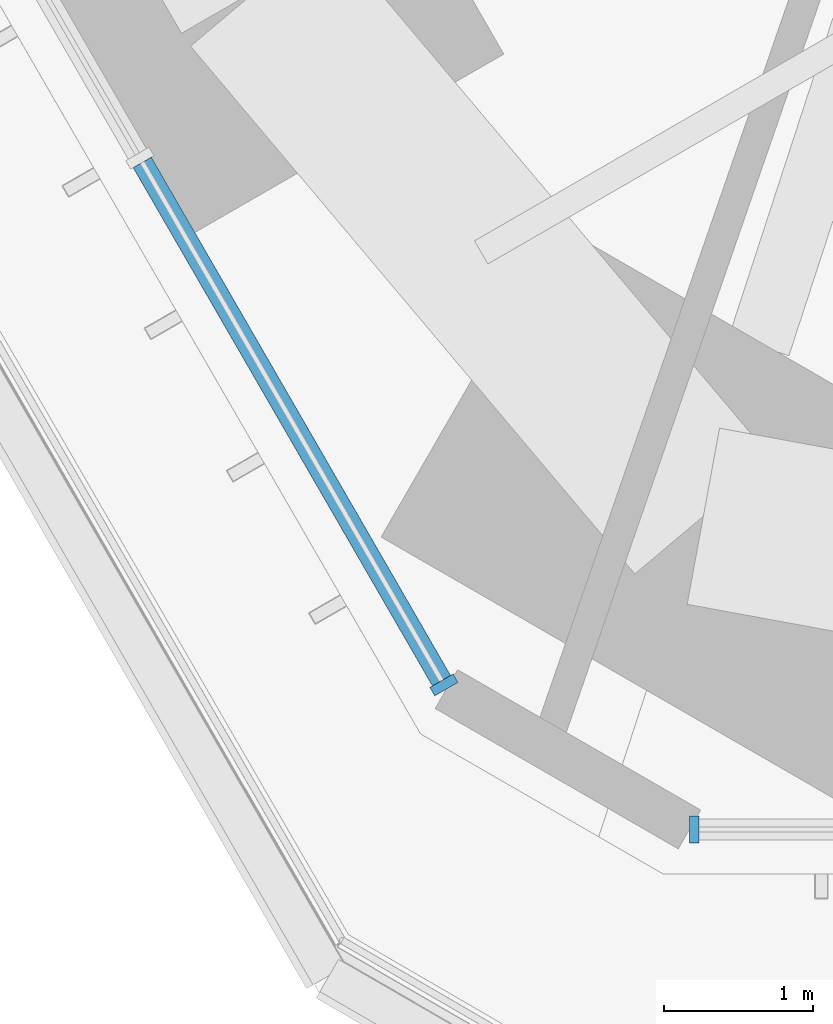
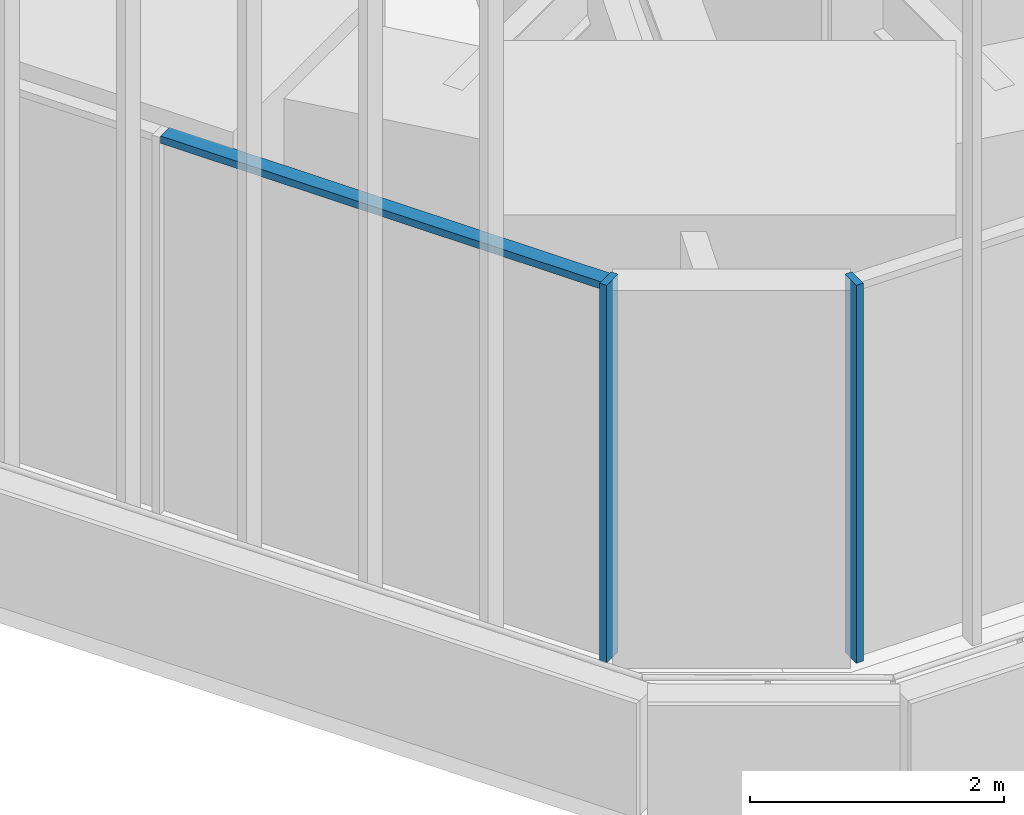
# One storey, part 12 of 238: 3 members, 2 elements without a shape of their own.
"""IFC4 building model written with IfcOpenShell, lengths in metres."""

from ifc_helpers import new_model, si_unit, direction, frame, origin, origin_2d, place, context, subcontext, project, spatial, rectangle, extrude, material, material_profile, profile_set, type_object, element, aggregate, save


model = new_model("IFC4")

# Units and contexts
model_context = context("Model", 3, precision=1e-05, world=origin(), true_north=direction((0.0, 1.0)))
body_context = subcontext(model_context, "Body", "Model", "MODEL_VIEW")
ifc_project = project(units=[si_unit("LENGTHUNIT", "METRE"), si_unit("AREAUNIT", "SQUARE_METRE"), si_unit("VOLUMEUNIT", "CUBIC_METRE"), si_unit("PLANEANGLEUNIT", "RADIAN"), si_unit("MASSUNIT", "GRAM", prefix="KILO")], contexts=[model_context])

# Site, building, storey
site_placement = place(None, origin())
site = spatial("IfcSite", under=ifc_project, at=site_placement, CompositionType="ELEMENT")
building_placement = place(site_placement, origin())
building = spatial("IfcBuilding", under=site, at=building_placement, Name="Sandreach Pilgrim Tower", CompositionType="ELEMENT")
storey_placement = place(building_placement, frame((0.0, 0.0, 96.800048828125)))
storey = spatial("IfcBuildingStorey", under=building, at=storey_placement, Name="L23", CompositionType="ELEMENT", Elevation=96.800048828125)

# Curtain wall, member
ifc_material_1 = material(Name="Aluminium framed curtain wall", Category="aluminium")
curtain_wall_type = type_object("IfcCurtainWallType", Name="Hotel tower curtain wall", PredefinedType="NOTDEFINED", material=ifc_material_1)
curtain_wall_1_placement = place(storey_placement, origin())
curtain_wall_1 = element("IfcCurtainWall", 1, at=curtain_wall_1_placement, inside=storey, type_object=curtain_wall_type, Name="CW-2 L23 SA", PredefinedType="NOTDEFINED")
ifc_material_2 = material(Name="Aluminium extrusion", Category="aluminium")
ifc_material_profile_1 = material_profile(ifc_material_2, rectangle(XDim=0.06494140625, YDim=0.179931640625, at=origin_2d()), Name="CW-2M 65X180")
ifc_profile_set_1 = profile_set([ifc_material_profile_1], Name="Aluminium extrusion")
member_type_1 = type_object("IfcMemberType", Name="CW-2 mullion", PredefinedType="MULLION", material=ifc_profile_set_1)
member_1_placement = place(storey_placement, frame((-8.578857421875, -28.192138671875, 0.0), z_axis=(0.0, 0.0, 1.0), x_axis=(-1.0, 0.0, 0.0)))
member_1 = element("IfcMember", 2, at=member_1_placement, type_object=member_type_1, Name="CW-2 mullion 4", PredefinedType="MULLION", context=body_context, shape_type="SweptSolid", body=[
    extrude(rectangle(XDim=0.06494140625, YDim=0.179931640625, at=origin_2d()), origin(), (0.0, 0.0, 1.0), 3.639892578125),
])
aggregate(curtain_wall_1, [member_1])

# Curtain wall, members
curtain_wall_2_placement = place(storey_placement, origin())
curtain_wall_2 = element("IfcCurtainWall", 3, at=curtain_wall_2_placement, inside=storey, type_object=curtain_wall_type, Name="CW-2 L23 SW", PredefinedType="NOTDEFINED")
member_2_placement = place(storey_placement, frame((-10.255859375, -27.22412109375, 0.0), z_axis=(0.0, 0.0, 1.0), x_axis=(-0.5, 0.866025403784, 0.0)))
member_2 = element("IfcMember", 4, at=member_2_placement, type_object=member_type_1, Name="CW-2 mullion 1", PredefinedType="MULLION", context=body_context, shape_type="SweptSolid", body=[
    extrude(rectangle(XDim=0.06494140625, YDim=0.179931640625, at=origin_2d()), origin(), (0.0, 0.0, 1.0), 3.639892578125),
])
ifc_material_3 = material(Name="Aluminium extrusion", Category="aluminium")
ifc_material_profile_2 = material_profile(ifc_material_3, rectangle(XDim=0.139892578125, YDim=0.070068359375, at=origin_2d()), Name="CW-2T 140X70")
ifc_profile_set_2 = profile_set([ifc_material_profile_2], Name="Aluminium extrusion")
member_type_2 = type_object("IfcMemberType", Name="CW-2 transom", PredefinedType="USERDEFINED", material=ifc_profile_set_2)
member_3_placement = place(storey_placement, frame((-10.27197265625, -27.196044921875, 3.60498046875), z_axis=(-0.500015851672, 0.866016251624, 0.0), x_axis=(-0.866016251624, -0.500015851672, 0.0)))
member_3 = element("IfcMember", 5, at=member_3_placement, type_object=member_type_2, Name="CW-2 head transom 1", ObjectType="TRANSOM", PredefinedType="USERDEFINED", context=body_context, shape_type="SweptSolid", body=[
    extrude(rectangle(XDim=0.139892578125, YDim=0.070068359375, at=origin_2d()), origin(), (0.0, 0.0, 1.0), 4.009521484375),
])
aggregate(curtain_wall_2, [member_2, member_3])

save(model, "model.ifc")
